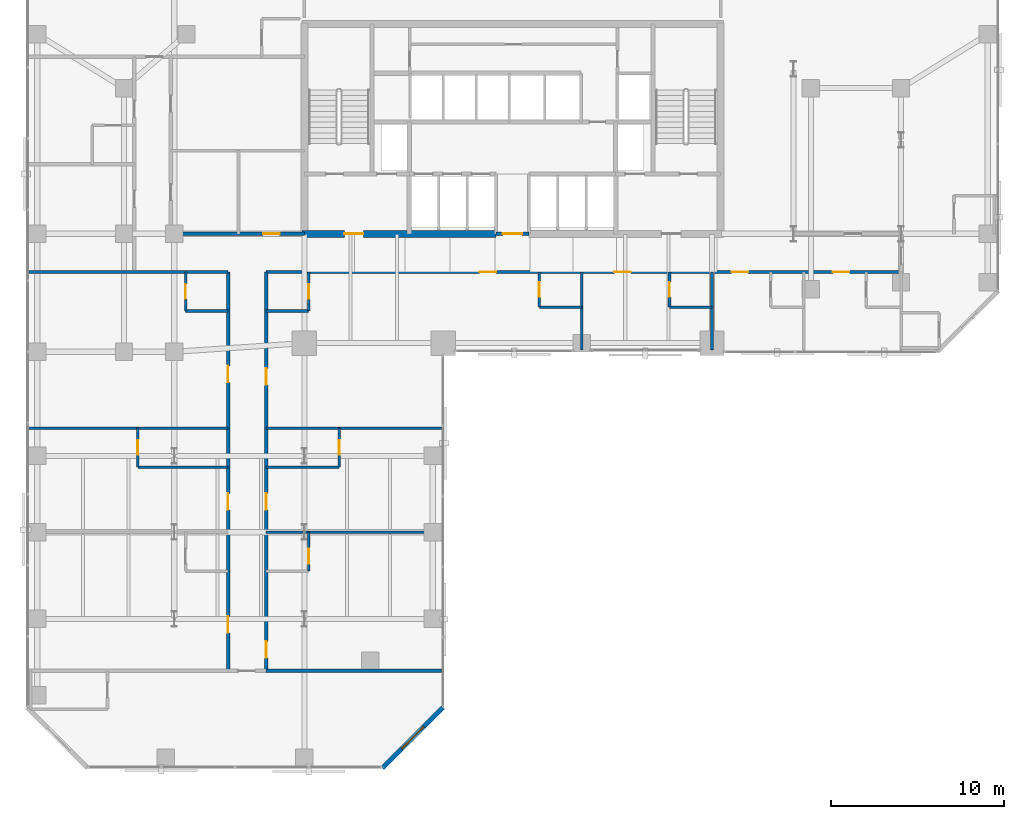
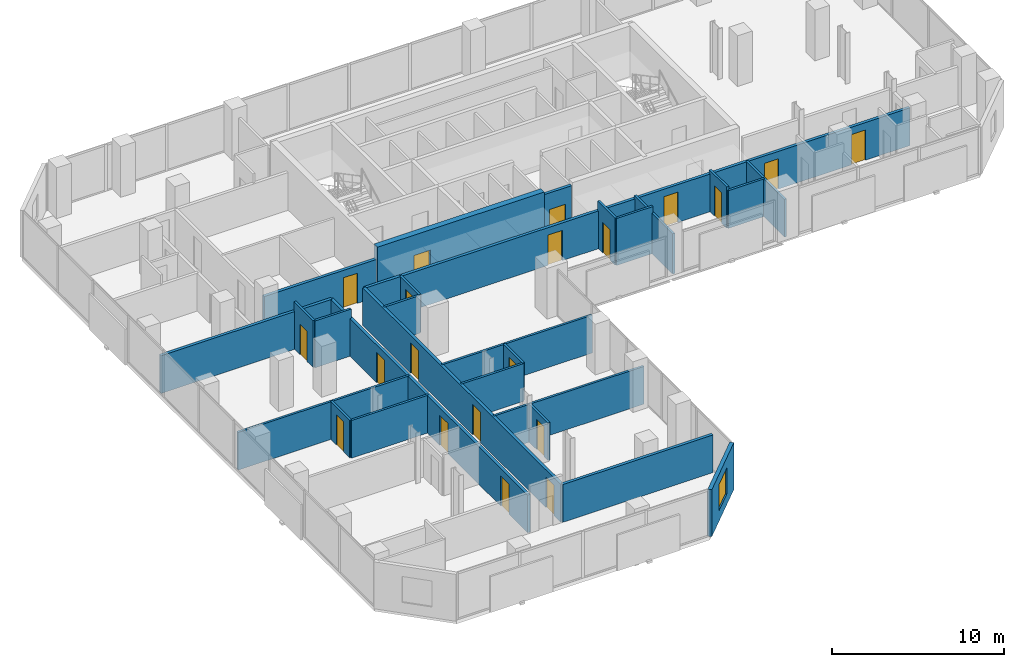
# One storey, part 27 of 32: 27 walls, 20 doors, 1 window, 21 openings.
"""IFC4 building model written with IfcOpenShell, lengths in metres."""

from ifc_helpers import new_model, si_unit, direction, frame, frame_2d, origin, place, context, subcontext, project, spatial, rectangle, extrude, material, layer, layer_set, type_object, element, fill, save


model = new_model("IFC4")

# Units and contexts
model_context = context("Model", 3, precision=1e-05, world=origin(), true_north=direction((0.0, 1.0)))
body_context = subcontext(model_context, "Body", "Model", "MODEL_VIEW")
ifc_project = project(units=[si_unit("LENGTHUNIT", "METRE"), si_unit("AREAUNIT", "SQUARE_METRE"), si_unit("VOLUMEUNIT", "CUBIC_METRE"), si_unit("PLANEANGLEUNIT", "RADIAN"), si_unit("MASSUNIT", "GRAM", prefix="KILO")], contexts=[model_context])

# Site, building, storey
site_placement = place(None, origin())
site = spatial("IfcSite", under=ifc_project, at=site_placement, CompositionType="ELEMENT")
building_placement = place(site_placement, origin())
building = spatial("IfcBuilding", under=site, at=building_placement, Name="Catumbela Crestline Tower", CompositionType="ELEMENT")
storey_placement = place(building_placement, frame((0.0, 0.0, 29.4)))
storey = spatial("IfcBuildingStorey", under=building, at=storey_placement, Name="L06", CompositionType="ELEMENT", Elevation=29.4)

# Wall, opening, door
ifc_material_1 = material(Name="Concrete C60/75", Category="concrete")
ifc_layer_1 = layer(ifc_material_1, 0.4, Name="Concrete C60/75")
ifc_layer_set_1 = layer_set([ifc_layer_1], Name="Concrete C60/75")
wall_type_1 = type_object("IfcWallType", Name="CW-400A", PredefinedType="SHEAR", material=ifc_layer_set_1)
wall_1_placement = place(storey_placement, frame((15.85, 30.8, 0.0), z_axis=(0.0, 0.0, 1.0), x_axis=(1.0, 0.0, 0.0)))
wall_1 = element("IfcWall", 1, at=wall_1_placement, inside=storey, type_object=wall_type_1, Name="L06 Structural Core Shear Wall SW", PredefinedType="SHEAR", context=body_context, shape_type="SweptSolid", body=[
    extrude(rectangle(XDim=11.2, YDim=0.4, at=frame_2d((5.6, 0.0))), origin(), (0.0, 0.0, 1.0), 3.6),
])
opening_1_placement = place(wall_1_placement, frame((2.45, 0.0, 0.0)))
opening_1 = element("IfcOpeningElement", 2, at=opening_1_placement, cuts=wall_1, Name="Opening DF9-110", PredefinedType="OPENING", context=body_context, shape_type="SweptSolid", body=[
    extrude(rectangle(XDim=1.1, YDim=2.15, at=frame_2d((0.55, 1.075))), frame((0.0, 0.21, 0.0), z_axis=(0.0, -1.0, 0.0), x_axis=(1.0, 0.0, 0.0)), (0.0, 0.0, 1.0), 0.42),
])
ifc_material_2 = material(Name="Stainless steel EN 1.4401", Category="steel")
door_type_1 = type_object("IfcDoorType", Name="DF9-110", OperationType="NOTDEFINED", PredefinedType="DOOR", material=ifc_material_2)
door_1_placement = place(opening_1_placement, origin())
door_1 = element("IfcDoor", 3, at=door_1_placement, inside=storey, type_object=door_type_1, Name="L06 Interior Door DR-L06-FFW-S", OperationType="SINGLE_SWING_LEFT", OverallHeight=2.15, OverallWidth=1.1, PredefinedType="DOOR", context=body_context, shape_type="SweptSolid", body=[
    extrude(rectangle(XDim=1.1, YDim=2.15, at=frame_2d((0.55, 1.075))), frame((0.0, 0.025, 0.0), z_axis=(0.0, -1.0, 0.0), x_axis=(1.0, 0.0, 0.0)), (0.0, 0.0, 1.0), 0.05),
])
fill(opening_1, door_1)

ifc_material_3 = material(Name="Acoustic gypsum and mineral-wool partition")
ifc_layer_2 = layer(ifc_material_3, 0.2, Name="Acoustic gypsum and mineral-wool partition")
ifc_layer_set_2 = layer_set([ifc_layer_2], Name="Acoustic gypsum and mineral-wool partition")
wall_type_2 = type_object("IfcWallType", Name="WC-200", PredefinedType="PARTITIONING", material=ifc_layer_set_2)
wall_2_placement = place(storey_placement, frame((27.05, 30.8, 0.0), z_axis=(0.0, 0.0, 1.0), x_axis=(1.0, 0.0, 0.0)))
wall_2 = element("IfcWall", 4, at=wall_2_placement, inside=storey, type_object=wall_type_2, Name="L06 Interior Partition PW-L06-CLOBS", PredefinedType="PARTITIONING", context=body_context, shape_type="SweptSolid", body=[
    extrude(rectangle(XDim=1.9, YDim=0.2, at=frame_2d((0.95, 0.0))), origin(), (0.0, 0.0, 1.0), 3.33),
])
opening_2_placement = place(wall_2_placement, frame((0.4, 0.0, 0.0)))
opening_2 = element("IfcOpeningElement", 5, at=opening_2_placement, cuts=wall_2, Name="Opening DF9-110", PredefinedType="OPENING", context=body_context, shape_type="SweptSolid", body=[
    extrude(rectangle(XDim=1.1, YDim=2.15, at=frame_2d((0.55, 1.075))), frame((0.0, 0.11, 0.0), z_axis=(0.0, -1.0, 0.0), x_axis=(1.0, 0.0, 0.0)), (0.0, 0.0, 1.0), 0.22),
])
door_2_placement = place(opening_2_placement, origin())
door_2 = element("IfcDoor", 6, at=door_2_placement, inside=storey, type_object=door_type_1, Name="L06 Interior Door DR-L06-CLOBS", OperationType="SINGLE_SWING_LEFT", OverallHeight=2.15, OverallWidth=1.1, PredefinedType="DOOR", context=body_context, shape_type="SweptSolid", body=[
    extrude(rectangle(XDim=1.1, YDim=2.15, at=frame_2d((0.55, 1.075))), frame((0.0, 0.025, 0.0), z_axis=(0.0, -1.0, 0.0), x_axis=(1.0, 0.0, 0.0)), (0.0, 0.0, 1.0), 0.05),
])
fill(opening_2, door_2)

# Wall
wall_3_placement = place(storey_placement, frame((0.1, 28.6, 0.0), z_axis=(0.0, 0.0, 1.0), x_axis=(1.0, 0.0, 0.0)))
element("IfcWall", 7, at=wall_3_placement, inside=storey, type_object=wall_type_2, Name="L06 Interior Partition PW-L06-CWGL-N", PredefinedType="PARTITIONING", context=body_context, shape_type="SweptSolid", body=[
    extrude(rectangle(XDim=11.5, YDim=0.2, at=frame_2d((5.75, 0.0))), origin(), (0.0, 0.0, 1.0), 2.68),
])

# Wall, openings, doors
wall_4_placement = place(storey_placement, frame((13.8, 28.6, 0.0), z_axis=(0.0, 0.0, 1.0), x_axis=(1.0, 0.0, 0.0)))
wall_4 = element("IfcWall", 8, at=wall_4_placement, inside=storey, type_object=wall_type_2, Name="L06 Interior Partition PW-L06-CWGR-N", PredefinedType="PARTITIONING", context=body_context, shape_type="SweptSolid", body=[
    extrude(rectangle(XDim=36.6, YDim=0.2, at=frame_2d((18.3, 0.0))), origin(), (0.0, 0.0, 1.0), 2.68),
])
opening_3_placement = place(wall_4_placement, frame((12.3, 0.0, 0.0)))
opening_3 = element("IfcOpeningElement", 9, at=opening_3_placement, cuts=wall_4, Name="Opening DF6-095", PredefinedType="OPENING", context=body_context, shape_type="SweptSolid", body=[
    extrude(rectangle(XDim=0.95, YDim=2.15, at=frame_2d((0.475, 1.075))), frame((0.0, 0.11, 0.0), z_axis=(0.0, -1.0, 0.0), x_axis=(1.0, 0.0, 0.0)), (0.0, 0.0, 1.0), 0.22),
])
opening_4_placement = place(wall_4_placement, frame((20.075, 0.0, 0.0)))
opening_4 = element("IfcOpeningElement", 10, at=opening_4_placement, cuts=wall_4, Name="Opening DF6-095", PredefinedType="OPENING", context=body_context, shape_type="SweptSolid", body=[
    extrude(rectangle(XDim=0.95, YDim=2.15, at=frame_2d((0.475, 1.075))), frame((0.0, 0.11, 0.0), z_axis=(0.0, -1.0, 0.0), x_axis=(1.0, 0.0, 0.0)), (0.0, 0.0, 1.0), 0.22),
])
opening_5_placement = place(wall_4_placement, frame((26.8289, 0.0, 0.0)))
opening_5 = element("IfcOpeningElement", 11, at=opening_5_placement, cuts=wall_4, Name="Opening DF6-095", PredefinedType="OPENING", context=body_context, shape_type="SweptSolid", body=[
    extrude(rectangle(XDim=0.95, YDim=2.15, at=frame_2d((0.475, 1.075))), frame((0.0, 0.11, 0.0), z_axis=(0.0, -1.0, 0.0), x_axis=(1.0, 0.0, 0.0)), (0.0, 0.0, 1.0), 0.22),
])
opening_6_placement = place(wall_4_placement, frame((32.6691, 0.0, 0.0)))
opening_6 = element("IfcOpeningElement", 12, at=opening_6_placement, cuts=wall_4, Name="Opening DF6-095", PredefinedType="OPENING", context=body_context, shape_type="SweptSolid", body=[
    extrude(rectangle(XDim=0.95, YDim=2.15, at=frame_2d((0.475, 1.075))), frame((0.0, 0.11, 0.0), z_axis=(0.0, -1.0, 0.0), x_axis=(1.0, 0.0, 0.0)), (0.0, 0.0, 1.0), 0.22),
])
ifc_material_4 = material(Name="Aluminium alloy AW-6060-T66", Category="aluminium")
door_type_2 = type_object("IfcDoorType", Name="DF6-095", OperationType="NOTDEFINED", PredefinedType="DOOR", material=ifc_material_4)
door_3_placement = place(opening_3_placement, origin())
door_3 = element("IfcDoor", 13, at=door_3_placement, inside=storey, type_object=door_type_2, Name="L06 Interior Door DR-L06-K1-ENT", OperationType="SINGLE_SWING_LEFT", OverallHeight=2.15, OverallWidth=0.95, PredefinedType="DOOR", context=body_context, shape_type="SweptSolid", body=[
    extrude(rectangle(XDim=0.95, YDim=2.15, at=frame_2d((0.475, 1.075))), frame((0.0, 0.025, 0.0), z_axis=(0.0, -1.0, 0.0), x_axis=(1.0, 0.0, 0.0)), (0.0, 0.0, 1.0), 0.05),
])
fill(opening_3, door_3)
door_4_placement = place(opening_4_placement, origin())
door_4 = element("IfcDoor", 14, at=door_4_placement, inside=storey, type_object=door_type_2, Name="L06 Interior Door DR-L06-K2-ENT", OperationType="SINGLE_SWING_RIGHT", OverallHeight=2.15, OverallWidth=0.95, PredefinedType="DOOR", context=body_context, shape_type="SweptSolid", body=[
    extrude(rectangle(XDim=0.95, YDim=2.15, at=frame_2d((0.475, 1.075))), frame((0.0, 0.025, 0.0), z_axis=(0.0, -1.0, 0.0), x_axis=(1.0, 0.0, 0.0)), (0.0, 0.0, 1.0), 0.05),
])
fill(opening_4, door_4)
door_5_placement = place(opening_5_placement, origin())
door_5 = element("IfcDoor", 15, at=door_5_placement, inside=storey, type_object=door_type_2, Name="L06 Interior Door DR-L06-K3-ENT", OperationType="SINGLE_SWING_LEFT", OverallHeight=2.15, OverallWidth=0.95, PredefinedType="DOOR", context=body_context, shape_type="SweptSolid", body=[
    extrude(rectangle(XDim=0.95, YDim=2.15, at=frame_2d((0.475, 1.075))), frame((0.0, 0.025, 0.0), z_axis=(0.0, -1.0, 0.0), x_axis=(1.0, 0.0, 0.0)), (0.0, 0.0, 1.0), 0.05),
])
fill(opening_5, door_5)
door_6_placement = place(opening_6_placement, origin())
door_6 = element("IfcDoor", 16, at=door_6_placement, inside=storey, type_object=door_type_2, Name="L06 Interior Door DR-L06-K4-ENT", OperationType="SINGLE_SWING_RIGHT", OverallHeight=2.15, OverallWidth=0.95, PredefinedType="DOOR", context=body_context, shape_type="SweptSolid", body=[
    extrude(rectangle(XDim=0.95, YDim=2.15, at=frame_2d((0.475, 1.075))), frame((0.0, 0.025, 0.0), z_axis=(0.0, -1.0, 0.0), x_axis=(1.0, 0.0, 0.0)), (0.0, 0.0, 1.0), 0.05),
])
fill(opening_6, door_6)

# Wall, opening, door
wall_5_placement = place(storey_placement, frame((8.3, 30.8, 0.0), z_axis=(0.0, 0.0, 1.0), x_axis=(1.0, 0.0, 0.0)))
wall_5 = element("IfcWall", 17, at=wall_5_placement, inside=storey, type_object=wall_type_2, Name="L06 Interior Partition PW-L06-HK-S", PredefinedType="PARTITIONING", context=body_context, shape_type="SweptSolid", body=[
    extrude(rectangle(XDim=7.7, YDim=0.2, at=frame_2d((3.85, 0.0))), origin(), (0.0, 0.0, 1.0), 2.68),
])
opening_7_placement = place(wall_5_placement, frame((5.325, 0.0, 0.0)))
opening_7 = element("IfcOpeningElement", 18, at=opening_7_placement, cuts=wall_5, Name="Opening DF6-095", PredefinedType="OPENING", context=body_context, shape_type="SweptSolid", body=[
    extrude(rectangle(XDim=0.95, YDim=2.15, at=frame_2d((0.475, 1.075))), frame((0.0, 0.11, 0.0), z_axis=(0.0, -1.0, 0.0), x_axis=(1.0, 0.0, 0.0)), (0.0, 0.0, 1.0), 0.22),
])
door_7_placement = place(opening_7_placement, origin())
door_7 = element("IfcDoor", 19, at=door_7_placement, inside=storey, type_object=door_type_2, Name="L06 Interior Door DR-L06-HKP", OperationType="SINGLE_SWING_LEFT", OverallHeight=2.15, OverallWidth=0.95, PredefinedType="DOOR", context=body_context, shape_type="SweptSolid", body=[
    extrude(rectangle(XDim=0.95, YDim=2.15, at=frame_2d((0.475, 1.075))), frame((0.0, 0.025, 0.0), z_axis=(0.0, -1.0, 0.0), x_axis=(1.0, 0.0, 0.0)), (0.0, 0.0, 1.0), 0.05),
])
fill(opening_7, door_7)

# Wall, openings, doors
wall_6_placement = place(storey_placement, frame((11.6, 5.6, 0.0), z_axis=(0.0, 0.0, 1.0), x_axis=(0.0, 1.0, 0.0)))
wall_6 = element("IfcWall", 20, at=wall_6_placement, inside=storey, type_object=wall_type_2, Name="L06 Interior Partition PW-L06-WL1-ENT", PredefinedType="PARTITIONING", context=body_context, shape_type="SweptSolid", body=[
    extrude(rectangle(XDim=23.0, YDim=0.2, at=frame_2d((11.5, 0.0))), origin(), (0.0, 0.0, 1.0), 2.68),
])
opening_8_placement = place(wall_6_placement, frame((2.19, 0.0, 0.0)))
opening_8 = element("IfcOpeningElement", 21, at=opening_8_placement, cuts=wall_6, Name="Opening DF6-095", PredefinedType="OPENING", context=body_context, shape_type="SweptSolid", body=[
    extrude(rectangle(XDim=0.95, YDim=2.15, at=frame_2d((0.475, 1.075))), frame((0.0, 0.11, 0.0), z_axis=(0.0, -1.0, 0.0), x_axis=(1.0, 0.0, 0.0)), (0.0, 0.0, 1.0), 0.22),
])
opening_9_placement = place(wall_6_placement, frame((9.29, 0.0, 0.0)))
opening_9 = element("IfcOpeningElement", 22, at=opening_9_placement, cuts=wall_6, Name="Opening DF6-095", PredefinedType="OPENING", context=body_context, shape_type="SweptSolid", body=[
    extrude(rectangle(XDim=0.95, YDim=2.15, at=frame_2d((0.475, 1.075))), frame((0.0, 0.11, 0.0), z_axis=(0.0, -1.0, 0.0), x_axis=(1.0, 0.0, 0.0)), (0.0, 0.0, 1.0), 0.22),
])
opening_10_placement = place(wall_6_placement, frame((16.64, 0.0, 0.0)))
opening_10 = element("IfcOpeningElement", 23, at=opening_10_placement, cuts=wall_6, Name="Opening DF6-095", PredefinedType="OPENING", context=body_context, shape_type="SweptSolid", body=[
    extrude(rectangle(XDim=0.95, YDim=2.15, at=frame_2d((0.475, 1.075))), frame((0.0, 0.11, 0.0), z_axis=(0.0, -1.0, 0.0), x_axis=(1.0, 0.0, 0.0)), (0.0, 0.0, 1.0), 0.22),
])
door_8_placement = place(opening_8_placement, origin())
door_8 = element("IfcDoor", 24, at=door_8_placement, inside=storey, type_object=door_type_2, Name="L06 Interior Door DR-L06-WL1-ENT", OperationType="SINGLE_SWING_LEFT", OverallHeight=2.15, OverallWidth=0.95, PredefinedType="DOOR", context=body_context, shape_type="SweptSolid", body=[
    extrude(rectangle(XDim=0.95, YDim=2.15, at=frame_2d((0.475, 1.075))), frame((0.0, 0.025, 0.0), z_axis=(0.0, -1.0, 0.0), x_axis=(1.0, 0.0, 0.0)), (0.0, 0.0, 1.0), 0.05),
])
fill(opening_8, door_8)
door_9_placement = place(opening_9_placement, origin())
door_9 = element("IfcDoor", 25, at=door_9_placement, inside=storey, type_object=door_type_2, Name="L06 Interior Door DR-L06-WL2-ENT", OperationType="SINGLE_SWING_RIGHT", OverallHeight=2.15, OverallWidth=0.95, PredefinedType="DOOR", context=body_context, shape_type="SweptSolid", body=[
    extrude(rectangle(XDim=0.95, YDim=2.15, at=frame_2d((0.475, 1.075))), frame((0.0, 0.025, 0.0), z_axis=(0.0, -1.0, 0.0), x_axis=(1.0, 0.0, 0.0)), (0.0, 0.0, 1.0), 0.05),
])
fill(opening_9, door_9)
door_10_placement = place(opening_10_placement, origin())
door_10 = element("IfcDoor", 26, at=door_10_placement, inside=storey, type_object=door_type_2, Name="L06 Interior Door DR-L06-WL3-ENT", OperationType="SINGLE_SWING_LEFT", OverallHeight=2.15, OverallWidth=0.95, PredefinedType="DOOR", context=body_context, shape_type="SweptSolid", body=[
    extrude(rectangle(XDim=0.95, YDim=2.15, at=frame_2d((0.475, 1.075))), frame((0.0, 0.025, 0.0), z_axis=(0.0, -1.0, 0.0), x_axis=(1.0, 0.0, 0.0)), (0.0, 0.0, 1.0), 0.05),
])
fill(opening_10, door_10)

wall_7_placement = place(storey_placement, frame((13.8, 5.6, 0.0), z_axis=(0.0, 0.0, 1.0), x_axis=(0.0, 1.0, 0.0)))
wall_7 = element("IfcWall", 27, at=wall_7_placement, inside=storey, type_object=wall_type_2, Name="L06 Interior Partition PW-L06-WR1-ENT", PredefinedType="PARTITIONING", context=body_context, shape_type="SweptSolid", body=[
    extrude(rectangle(XDim=23.0, YDim=0.2, at=frame_2d((11.5, 0.0))), origin(), (0.0, 0.0, 1.0), 2.68),
])
opening_11_placement = place(wall_7_placement, frame((0.7516, 0.0, 0.0)))
opening_11 = element("IfcOpeningElement", 28, at=opening_11_placement, cuts=wall_7, Name="Opening DF6-095", PredefinedType="OPENING", context=body_context, shape_type="SweptSolid", body=[
    extrude(rectangle(XDim=0.95, YDim=2.15, at=frame_2d((0.475, 1.075))), frame((0.0, 0.11, 0.0), z_axis=(0.0, -1.0, 0.0), x_axis=(1.0, 0.0, 0.0)), (0.0, 0.0, 1.0), 0.22),
])
opening_12_placement = place(wall_7_placement, frame((9.29, 0.0, 0.0)))
opening_12 = element("IfcOpeningElement", 29, at=opening_12_placement, cuts=wall_7, Name="Opening DF6-095", PredefinedType="OPENING", context=body_context, shape_type="SweptSolid", body=[
    extrude(rectangle(XDim=0.95, YDim=2.15, at=frame_2d((0.475, 1.075))), frame((0.0, 0.11, 0.0), z_axis=(0.0, -1.0, 0.0), x_axis=(1.0, 0.0, 0.0)), (0.0, 0.0, 1.0), 0.22),
])
opening_13_placement = place(wall_7_placement, frame((16.4941, 0.0, 0.0)))
opening_13 = element("IfcOpeningElement", 30, at=opening_13_placement, cuts=wall_7, Name="Opening DF6-095", PredefinedType="OPENING", context=body_context, shape_type="SweptSolid", body=[
    extrude(rectangle(XDim=0.95, YDim=2.15, at=frame_2d((0.475, 1.075))), frame((0.0, 0.11, 0.0), z_axis=(0.0, -1.0, 0.0), x_axis=(1.0, 0.0, 0.0)), (0.0, 0.0, 1.0), 0.22),
])
door_11_placement = place(opening_11_placement, origin())
door_11 = element("IfcDoor", 31, at=door_11_placement, inside=storey, type_object=door_type_2, Name="L06 Interior Door DR-L06-WR1-ENT", OperationType="SINGLE_SWING_LEFT", OverallHeight=2.15, OverallWidth=0.95, PredefinedType="DOOR", context=body_context, shape_type="SweptSolid", body=[
    extrude(rectangle(XDim=0.95, YDim=2.15, at=frame_2d((0.475, 1.075))), frame((0.0, 0.025, 0.0), z_axis=(0.0, -1.0, 0.0), x_axis=(1.0, 0.0, 0.0)), (0.0, 0.0, 1.0), 0.05),
])
fill(opening_11, door_11)
door_12_placement = place(opening_12_placement, origin())
door_12 = element("IfcDoor", 32, at=door_12_placement, inside=storey, type_object=door_type_2, Name="L06 Interior Door DR-L06-WR2-ENT", OperationType="SINGLE_SWING_RIGHT", OverallHeight=2.15, OverallWidth=0.95, PredefinedType="DOOR", context=body_context, shape_type="SweptSolid", body=[
    extrude(rectangle(XDim=0.95, YDim=2.15, at=frame_2d((0.475, 1.075))), frame((0.0, 0.025, 0.0), z_axis=(0.0, -1.0, 0.0), x_axis=(1.0, 0.0, 0.0)), (0.0, 0.0, 1.0), 0.05),
])
fill(opening_12, door_12)
door_13_placement = place(opening_13_placement, origin())
door_13 = element("IfcDoor", 33, at=door_13_placement, inside=storey, type_object=door_type_2, Name="L06 Interior Door DR-L06-WR3-ENT", OperationType="SINGLE_SWING_LEFT", OverallHeight=2.15, OverallWidth=0.95, PredefinedType="DOOR", context=body_context, shape_type="SweptSolid", body=[
    extrude(rectangle(XDim=0.95, YDim=2.15, at=frame_2d((0.475, 1.075))), frame((0.0, 0.025, 0.0), z_axis=(0.0, -1.0, 0.0), x_axis=(1.0, 0.0, 0.0)), (0.0, 0.0, 1.0), 0.05),
])
fill(opening_13, door_13)

# Wall, opening, window
ifc_material_5 = material(Name="Angolan grey-ochre granite", Category="masonry")
ifc_layer_3 = layer(ifc_material_5, 0.25, Name="Angolan grey-ochre granite")
ifc_layer_set_3 = layer_set([ifc_layer_3], Name="Angolan grey-ochre granite")
wall_type_3 = type_object("IfcWallType", Name="WE-250", PredefinedType="STANDARD", material=ifc_layer_set_3)
wall_8_placement = place(storey_placement, frame((20.5, 0.0, 0.0), z_axis=(0.0, 0.0, 1.0), x_axis=(0.707106781187, 0.707106781187, 0.0)))
wall_8 = element("IfcWall", 34, at=wall_8_placement, inside=storey, type_object=wall_type_3, Name="L06 Granite Punched Window Wall 1-1", PredefinedType="STANDARD", context=body_context, shape_type="SweptSolid", body=[
    extrude(rectangle(XDim=4.9497, YDim=0.25, at=frame_2d((2.4748, 0.0))), origin(), (0.0, 0.0, 1.0), 3.33),
])
opening_14_placement = place(wall_8_placement, frame((1.5749, 0.0, 0.75)))
opening_14 = element("IfcOpeningElement", 35, at=opening_14_placement, cuts=wall_8, Name="Opening WN-01", PredefinedType="OPENING", context=body_context, shape_type="SweptSolid", body=[
    extrude(rectangle(XDim=1.8, YDim=1.85, at=frame_2d((0.9, 0.925))), frame((0.0, 0.135, 0.0), z_axis=(0.0, -1.0, 0.0), x_axis=(1.0, 0.0, 0.0)), (0.0, 0.0, 1.0), 0.27),
])
ifc_material_6 = material(Name="Low-E laminated solar-control double glazing", Category="glass")
window_type = type_object("IfcWindowType", Name="WF-1800", PartitioningType="SINGLE_PANEL", PredefinedType="WINDOW", material=ifc_material_6)
window_placement = place(opening_14_placement, origin())
window = element("IfcWindow", 36, at=window_placement, inside=storey, type_object=window_type, Name="L06 Facade Vision Window 53", OverallHeight=1.85, OverallWidth=1.8, PartitioningType="SINGLE_PANEL", PredefinedType="WINDOW", context=body_context, shape_type="SweptSolid", body=[
    extrude(rectangle(XDim=1.8, YDim=1.85, at=frame_2d((0.9, 0.925))), frame((0.0, 0.03, 0.0), z_axis=(0.0, -1.0, 0.0), x_axis=(1.0, 0.0, 0.0)), (0.0, 0.0, 1.0), 0.06),
])
fill(opening_14, window)

# Wall
ifc_layer_4 = layer(ifc_material_3, 0.15, Name="Acoustic gypsum and mineral-wool partition")
ifc_layer_set_4 = layer_set([ifc_layer_4], Name="Acoustic gypsum and mineral-wool partition")
wall_type_4 = type_object("IfcWallType", Name="WP-150", PredefinedType="PARTITIONING", material=ifc_layer_set_4)
wall_9_placement = place(storey_placement, frame((29.55, 26.576, 0.0), z_axis=(0.0, 0.0, 1.0), x_axis=(1.0, 0.0, 0.0)))
element("IfcWall", 37, at=wall_9_placement, inside=storey, type_object=wall_type_4, Name="L06 Interior Partition PW-L06-K1-BHW", PredefinedType="PARTITIONING", context=body_context, shape_type="SweptSolid", body=[
    extrude(rectangle(XDim=2.45, YDim=0.15, at=frame_2d((1.225, 0.0))), origin(), (0.0, 0.0, 1.0), 3.33),
])

# Wall, opening, door
wall_10_placement = place(storey_placement, frame((29.55, 26.576, 0.0), z_axis=(0.0, 0.0, 1.0), x_axis=(0.0, 1.0, 0.0)))
wall_10 = element("IfcWall", 38, at=wall_10_placement, inside=storey, type_object=wall_type_4, Name="L06 Interior Partition PW-L06-K1-BWW", PredefinedType="PARTITIONING", context=body_context, shape_type="SweptSolid", body=[
    extrude(rectangle(XDim=2.024, YDim=0.15, at=frame_2d((1.012, 0.0))), origin(), (0.0, 0.0, 1.0), 3.33),
])
opening_15_placement = place(wall_10_placement, frame((0.587, 0.0, 0.0)))
opening_15 = element("IfcOpeningElement", 39, at=opening_15_placement, cuts=wall_10, Name="Opening DI-085", PredefinedType="OPENING", context=body_context, shape_type="SweptSolid", body=[
    extrude(rectangle(XDim=0.85, YDim=2.15, at=frame_2d((0.425, 1.075))), frame((0.0, 0.085, 0.0), z_axis=(0.0, -1.0, 0.0), x_axis=(1.0, 0.0, 0.0)), (0.0, 0.0, 1.0), 0.17),
])
door_type_3 = type_object("IfcDoorType", Name="DI-085", OperationType="NOTDEFINED", PredefinedType="DOOR", material=ifc_material_4)
door_14_placement = place(opening_15_placement, origin())
door_14 = element("IfcDoor", 40, at=door_14_placement, inside=storey, type_object=door_type_3, Name="L06 Interior Door DR-L06-K1-BTH", OperationType="SINGLE_SWING_RIGHT", OverallHeight=2.15, OverallWidth=0.85, PredefinedType="DOOR", context=body_context, shape_type="SweptSolid", body=[
    extrude(rectangle(XDim=0.85, YDim=2.15, at=frame_2d((0.425, 1.075))), frame((0.0, 0.025, 0.0), z_axis=(0.0, -1.0, 0.0), x_axis=(1.0, 0.0, 0.0)), (0.0, 0.0, 1.0), 0.05),
])
fill(opening_15, door_14)

# Walls
wall_11_placement = place(storey_placement, frame((32.0, 28.6, 0.0), z_axis=(0.0, 0.0, 1.0), x_axis=(0.0, -1.0, 0.0)))
element("IfcWall", 41, at=wall_11_placement, inside=storey, type_object=wall_type_4, Name="L06 Interior Partition PW-L06-K1-BCL-2", PredefinedType="PARTITIONING", context=body_context, shape_type="SweptSolid", body=[
    extrude(rectangle(XDim=4.5, YDim=0.15, at=frame_2d((2.25, 0.0))), origin(), (0.0, 0.0, 1.0), 2.87),
])
wall_12_placement = place(storey_placement, frame((37.05, 26.576, 0.0), z_axis=(0.0, 0.0, 1.0), x_axis=(1.0, 0.0, 0.0)))
element("IfcWall", 42, at=wall_12_placement, inside=storey, type_object=wall_type_4, Name="L06 Interior Partition PW-L06-K2-BHW", PredefinedType="PARTITIONING", context=body_context, shape_type="SweptSolid", body=[
    extrude(rectangle(XDim=2.45, YDim=0.15, at=frame_2d((1.225, 0.0))), origin(), (0.0, 0.0, 1.0), 2.68),
])

# Wall, opening, door
wall_13_placement = place(storey_placement, frame((37.05, 26.576, 0.0), z_axis=(0.0, 0.0, 1.0), x_axis=(0.0, 1.0, 0.0)))
wall_13 = element("IfcWall", 43, at=wall_13_placement, inside=storey, type_object=wall_type_4, Name="L06 Interior Partition PW-L06-K2-BWW", PredefinedType="PARTITIONING", context=body_context, shape_type="SweptSolid", body=[
    extrude(rectangle(XDim=2.024, YDim=0.15, at=frame_2d((1.012, 0.0))), origin(), (0.0, 0.0, 1.0), 2.92),
])
opening_16_placement = place(wall_13_placement, frame((0.587, 0.0, 0.0)))
opening_16 = element("IfcOpeningElement", 44, at=opening_16_placement, cuts=wall_13, Name="Opening DI-085", PredefinedType="OPENING", context=body_context, shape_type="SweptSolid", body=[
    extrude(rectangle(XDim=0.85, YDim=2.15, at=frame_2d((0.425, 1.075))), frame((0.0, 0.085, 0.0), z_axis=(0.0, -1.0, 0.0), x_axis=(1.0, 0.0, 0.0)), (0.0, 0.0, 1.0), 0.17),
])
door_15_placement = place(opening_16_placement, origin())
door_15 = element("IfcDoor", 45, at=door_15_placement, inside=storey, type_object=door_type_3, Name="L06 Interior Door DR-L06-K2-BTH", OperationType="SINGLE_SWING_RIGHT", OverallHeight=2.15, OverallWidth=0.85, PredefinedType="DOOR", context=body_context, shape_type="SweptSolid", body=[
    extrude(rectangle(XDim=0.85, YDim=2.15, at=frame_2d((0.425, 1.075))), frame((0.0, 0.025, 0.0), z_axis=(0.0, -1.0, 0.0), x_axis=(1.0, 0.0, 0.0)), (0.0, 0.0, 1.0), 0.05),
])
fill(opening_16, door_15)

# Wall
wall_14_placement = place(storey_placement, frame((39.5, 28.6, 0.0), z_axis=(0.0, 0.0, 1.0), x_axis=(0.0, -1.0, 0.0)))
element("IfcWall", 46, at=wall_14_placement, inside=storey, type_object=wall_type_4, Name="L06 Interior Partition PW-L06-K2-BCL-2", PredefinedType="PARTITIONING", context=body_context, shape_type="SweptSolid", body=[
    extrude(rectangle(XDim=4.5, YDim=0.15, at=frame_2d((2.25, 0.0))), origin(), (0.0, 0.0, 1.0), 2.68),
])

# Wall, opening, door
wall_15_placement = place(storey_placement, frame((16.25, 11.35, 0.0), z_axis=(0.0, 0.0, 1.0), x_axis=(0.0, 1.0, 0.0)))
wall_15 = element("IfcWall", 47, at=wall_15_placement, inside=storey, type_object=wall_type_4, Name="L06 Interior Partition PW-L06-WR1-BEW", PredefinedType="PARTITIONING", context=body_context, shape_type="SweptSolid", body=[
    extrude(rectangle(XDim=2.25, YDim=0.15, at=frame_2d((1.125, 0.0))), origin(), (0.0, 0.0, 1.0), 2.68),
])
opening_17_placement = place(wall_15_placement, frame((0.4444, 0.0, 0.0)))
opening_17 = element("IfcOpeningElement", 48, at=opening_17_placement, cuts=wall_15, Name="Opening DI-085", PredefinedType="OPENING", context=body_context, shape_type="SweptSolid", body=[
    extrude(rectangle(XDim=0.85, YDim=2.15, at=frame_2d((0.425, 1.075))), frame((0.0, 0.085, 0.0), z_axis=(0.0, -1.0, 0.0), x_axis=(1.0, 0.0, 0.0)), (0.0, 0.0, 1.0), 0.17),
])
door_16_placement = place(opening_17_placement, origin())
door_16 = element("IfcDoor", 49, at=door_16_placement, inside=storey, type_object=door_type_3, Name="L06 Interior Door DR-L06-WR1-BTH", OperationType="SINGLE_SWING_LEFT", OverallHeight=2.15, OverallWidth=0.85, PredefinedType="DOOR", context=body_context, shape_type="SweptSolid", body=[
    extrude(rectangle(XDim=0.85, YDim=2.15, at=frame_2d((0.425, 1.075))), frame((0.0, 0.025, 0.0), z_axis=(0.0, -1.0, 0.0), x_axis=(1.0, 0.0, 0.0)), (0.0, 0.0, 1.0), 0.05),
])
fill(opening_17, door_16)

# Walls
wall_16_placement = place(storey_placement, frame((13.8, 13.6, 0.0), z_axis=(0.0, 0.0, 1.0), x_axis=(1.0, 0.0, 0.0)))
element("IfcWall", 50, at=wall_16_placement, inside=storey, type_object=wall_type_4, Name="L06 Interior Partition PW-L06-WR1-BCL-1", PredefinedType="PARTITIONING", context=body_context, shape_type="SweptSolid", body=[
    extrude(rectangle(XDim=10.1, YDim=0.15, at=frame_2d((5.05, 0.0))), origin(), (0.0, 0.0, 1.0), 2.68),
])
wall_17_placement = place(storey_placement, frame((6.4, 17.35, 0.0), z_axis=(0.0, 0.0, 1.0), x_axis=(1.0, 0.0, 0.0)))
element("IfcWall", 51, at=wall_17_placement, inside=storey, type_object=wall_type_4, Name="L06 Interior Partition PW-L06-WL2-BSW", PredefinedType="PARTITIONING", context=body_context, shape_type="SweptSolid", body=[
    extrude(rectangle(XDim=5.2, YDim=0.15, at=frame_2d((2.6, 0.0))), origin(), (0.0, 0.0, 1.0), 2.68),
])

# Wall, opening, door
wall_18_placement = place(storey_placement, frame((6.4, 17.35, 0.0), z_axis=(0.0, 0.0, 1.0), x_axis=(0.0, 1.0, 0.0)))
wall_18 = element("IfcWall", 52, at=wall_18_placement, inside=storey, type_object=wall_type_4, Name="L06 Interior Partition PW-L06-WL2-BWW", PredefinedType="PARTITIONING", context=body_context, shape_type="SweptSolid", body=[
    extrude(rectangle(XDim=2.25, YDim=0.15, at=frame_2d((1.125, 0.0))), origin(), (0.0, 0.0, 1.0), 2.68),
])
opening_18_placement = place(wall_18_placement, frame((0.7, 0.0, 0.0)))
opening_18 = element("IfcOpeningElement", 53, at=opening_18_placement, cuts=wall_18, Name="Opening DI-085", PredefinedType="OPENING", context=body_context, shape_type="SweptSolid", body=[
    extrude(rectangle(XDim=0.85, YDim=2.15, at=frame_2d((0.425, 1.075))), frame((0.0, 0.085, 0.0), z_axis=(0.0, -1.0, 0.0), x_axis=(1.0, 0.0, 0.0)), (0.0, 0.0, 1.0), 0.17),
])
door_17_placement = place(opening_18_placement, origin())
door_17 = element("IfcDoor", 54, at=door_17_placement, inside=storey, type_object=door_type_3, Name="L06 Interior Door DR-L06-WL2-BTH", OperationType="SINGLE_SWING_RIGHT", OverallHeight=2.15, OverallWidth=0.85, PredefinedType="DOOR", context=body_context, shape_type="SweptSolid", body=[
    extrude(rectangle(XDim=0.85, YDim=2.15, at=frame_2d((0.425, 1.075))), frame((0.0, 0.025, 0.0), z_axis=(0.0, -1.0, 0.0), x_axis=(1.0, 0.0, 0.0)), (0.0, 0.0, 1.0), 0.05),
])
fill(opening_18, door_17)

# Walls
wall_19_placement = place(storey_placement, frame((0.1, 19.6, 0.0), z_axis=(0.0, 0.0, 1.0), x_axis=(1.0, 0.0, 0.0)))
element("IfcWall", 55, at=wall_19_placement, inside=storey, type_object=wall_type_4, Name="L06 Interior Partition PW-L06-WL2-BCL-1", PredefinedType="PARTITIONING", context=body_context, shape_type="SweptSolid", body=[
    extrude(rectangle(XDim=11.5, YDim=0.15, at=frame_2d((5.75, 0.0))), origin(), (0.0, 0.0, 1.0), 2.68),
])
wall_20_placement = place(storey_placement, frame((13.8, 17.35, 0.0), z_axis=(0.0, 0.0, 1.0), x_axis=(1.0, 0.0, 0.0)))
element("IfcWall", 56, at=wall_20_placement, inside=storey, type_object=wall_type_4, Name="L06 Interior Partition PW-L06-WR2-BSW", PredefinedType="PARTITIONING", context=body_context, shape_type="SweptSolid", body=[
    extrude(rectangle(XDim=4.2, YDim=0.15, at=frame_2d((2.1, 0.0))), origin(), (0.0, 0.0, 1.0), 2.68),
])

# Wall, opening, door
wall_21_placement = place(storey_placement, frame((18.0, 17.35, 0.0), z_axis=(0.0, 0.0, 1.0), x_axis=(0.0, 1.0, 0.0)))
wall_21 = element("IfcWall", 57, at=wall_21_placement, inside=storey, type_object=wall_type_4, Name="L06 Interior Partition PW-L06-WR2-BEW", PredefinedType="PARTITIONING", context=body_context, shape_type="SweptSolid", body=[
    extrude(rectangle(XDim=2.25, YDim=0.15, at=frame_2d((1.125, 0.0))), origin(), (0.0, 0.0, 1.0), 2.68),
])
opening_19_placement = place(wall_21_placement, frame((0.7, 0.0, 0.0)))
opening_19 = element("IfcOpeningElement", 58, at=opening_19_placement, cuts=wall_21, Name="Opening DI-085", PredefinedType="OPENING", context=body_context, shape_type="SweptSolid", body=[
    extrude(rectangle(XDim=0.85, YDim=2.15, at=frame_2d((0.425, 1.075))), frame((0.0, 0.085, 0.0), z_axis=(0.0, -1.0, 0.0), x_axis=(1.0, 0.0, 0.0)), (0.0, 0.0, 1.0), 0.17),
])
door_18_placement = place(opening_19_placement, origin())
door_18 = element("IfcDoor", 59, at=door_18_placement, inside=storey, type_object=door_type_3, Name="L06 Interior Door DR-L06-WR2-BTH", OperationType="SINGLE_SWING_LEFT", OverallHeight=2.15, OverallWidth=0.85, PredefinedType="DOOR", context=body_context, shape_type="SweptSolid", body=[
    extrude(rectangle(XDim=0.85, YDim=2.15, at=frame_2d((0.425, 1.075))), frame((0.0, 0.025, 0.0), z_axis=(0.0, -1.0, 0.0), x_axis=(1.0, 0.0, 0.0)), (0.0, 0.0, 1.0), 0.05),
])
fill(opening_19, door_18)

# Walls
wall_22_placement = place(storey_placement, frame((13.8, 19.6, 0.0), z_axis=(0.0, 0.0, 1.0), x_axis=(1.0, 0.0, 0.0)))
element("IfcWall", 60, at=wall_22_placement, inside=storey, type_object=wall_type_4, Name="L06 Interior Partition PW-L06-WR2-BCL-1", PredefinedType="PARTITIONING", context=body_context, shape_type="SweptSolid", body=[
    extrude(rectangle(XDim=10.1, YDim=0.15, at=frame_2d((5.05, 0.0))), origin(), (0.0, 0.0, 1.0), 2.68),
])
wall_23_placement = place(storey_placement, frame((9.15, 26.35, 0.0), z_axis=(0.0, 0.0, 1.0), x_axis=(1.0, 0.0, 0.0)))
element("IfcWall", 61, at=wall_23_placement, inside=storey, type_object=wall_type_4, Name="L06 Interior Partition PW-L06-WL3-BSW", PredefinedType="PARTITIONING", context=body_context, shape_type="SweptSolid", body=[
    extrude(rectangle(XDim=2.45, YDim=0.15, at=frame_2d((1.225, 0.0))), origin(), (0.0, 0.0, 1.0), 3.33),
])

# Wall, opening, door
wall_24_placement = place(storey_placement, frame((9.15, 26.35, 0.0), z_axis=(0.0, 0.0, 1.0), x_axis=(0.0, 1.0, 0.0)))
wall_24 = element("IfcWall", 62, at=wall_24_placement, inside=storey, type_object=wall_type_4, Name="L06 Interior Partition PW-L06-WL3-BWW", PredefinedType="PARTITIONING", context=body_context, shape_type="SweptSolid", body=[
    extrude(rectangle(XDim=2.25, YDim=0.15, at=frame_2d((1.125, 0.0))), origin(), (0.0, 0.0, 1.0), 3.33),
])
opening_20_placement = place(wall_24_placement, frame((0.7, 0.0, 0.0)))
opening_20 = element("IfcOpeningElement", 63, at=opening_20_placement, cuts=wall_24, Name="Opening DI-085", PredefinedType="OPENING", context=body_context, shape_type="SweptSolid", body=[
    extrude(rectangle(XDim=0.85, YDim=2.15, at=frame_2d((0.425, 1.075))), frame((0.0, 0.085, 0.0), z_axis=(0.0, -1.0, 0.0), x_axis=(1.0, 0.0, 0.0)), (0.0, 0.0, 1.0), 0.17),
])
door_19_placement = place(opening_20_placement, origin())
door_19 = element("IfcDoor", 64, at=door_19_placement, inside=storey, type_object=door_type_3, Name="L06 Interior Door DR-L06-WL3-BTH", OperationType="SINGLE_SWING_RIGHT", OverallHeight=2.15, OverallWidth=0.85, PredefinedType="DOOR", context=body_context, shape_type="SweptSolid", body=[
    extrude(rectangle(XDim=0.85, YDim=2.15, at=frame_2d((0.425, 1.075))), frame((0.0, 0.025, 0.0), z_axis=(0.0, -1.0, 0.0), x_axis=(1.0, 0.0, 0.0)), (0.0, 0.0, 1.0), 0.05),
])
fill(opening_20, door_19)

# Wall
wall_25_placement = place(storey_placement, frame((13.8, 26.35, 0.0), z_axis=(0.0, 0.0, 1.0), x_axis=(1.0, 0.0, 0.0)))
element("IfcWall", 65, at=wall_25_placement, inside=storey, type_object=wall_type_4, Name="L06 Interior Partition PW-L06-WR3-BSW", PredefinedType="PARTITIONING", context=body_context, shape_type="SweptSolid", body=[
    extrude(rectangle(XDim=2.45, YDim=0.15, at=frame_2d((1.225, 0.0))), origin(), (0.0, 0.0, 1.0), 2.68),
])

# Wall, opening, door
wall_26_placement = place(storey_placement, frame((16.25, 26.35, 0.0), z_axis=(0.0, 0.0, 1.0), x_axis=(0.0, 1.0, 0.0)))
wall_26 = element("IfcWall", 66, at=wall_26_placement, inside=storey, type_object=wall_type_4, Name="L06 Interior Partition PW-L06-WR3-BEW", PredefinedType="PARTITIONING", context=body_context, shape_type="SweptSolid", body=[
    extrude(rectangle(XDim=2.25, YDim=0.15, at=frame_2d((1.125, 0.0))), origin(), (0.0, 0.0, 1.0), 2.68),
])
opening_21_placement = place(wall_26_placement, frame((0.7, 0.0, 0.0)))
opening_21 = element("IfcOpeningElement", 67, at=opening_21_placement, cuts=wall_26, Name="Opening DI-085", PredefinedType="OPENING", context=body_context, shape_type="SweptSolid", body=[
    extrude(rectangle(XDim=0.85, YDim=2.15, at=frame_2d((0.425, 1.075))), frame((0.0, 0.085, 0.0), z_axis=(0.0, -1.0, 0.0), x_axis=(1.0, 0.0, 0.0)), (0.0, 0.0, 1.0), 0.17),
])
door_20_placement = place(opening_21_placement, origin())
door_20 = element("IfcDoor", 68, at=door_20_placement, inside=storey, type_object=door_type_3, Name="L06 Interior Door DR-L06-WR3-BTH", OperationType="SINGLE_SWING_LEFT", OverallHeight=2.15, OverallWidth=0.85, PredefinedType="DOOR", context=body_context, shape_type="SweptSolid", body=[
    extrude(rectangle(XDim=0.85, YDim=2.15, at=frame_2d((0.425, 1.075))), frame((0.0, 0.025, 0.0), z_axis=(0.0, -1.0, 0.0), x_axis=(1.0, 0.0, 0.0)), (0.0, 0.0, 1.0), 0.05),
])
fill(opening_21, door_20)

# Wall
ifc_layer_5 = layer(ifc_material_3, 0.2, Name="Acoustic gypsum and mineral-wool partition")
ifc_layer_set_5 = layer_set([ifc_layer_5], Name="Acoustic gypsum and mineral-wool partition")
wall_type_5 = type_object("IfcWallType", Name="WY-200", PredefinedType="PARTITIONING", material=ifc_layer_set_5)
wall_27_placement = place(storey_placement, frame((13.8, 5.6, 0.0), z_axis=(0.0, 0.0, 1.0), x_axis=(1.0, 0.0, 0.0)))
element("IfcWall", 69, at=wall_27_placement, inside=storey, type_object=wall_type_5, Name="L06 Interior Partition PW-L06-WTIP-WR", PredefinedType="PARTITIONING", context=body_context, shape_type="SweptSolid", body=[
    extrude(rectangle(XDim=10.1, YDim=0.2, at=frame_2d((5.05, 0.0))), origin(), (0.0, 0.0, 1.0), 2.68),
])

save(model, "model.ifc")
